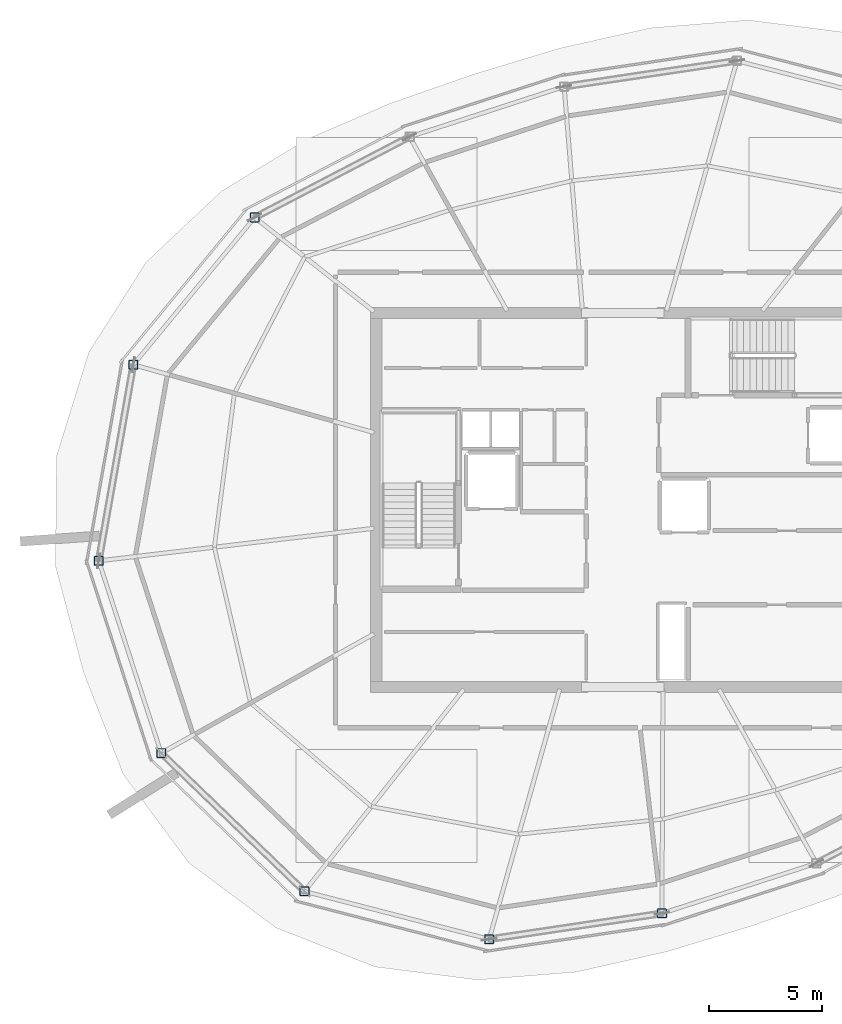
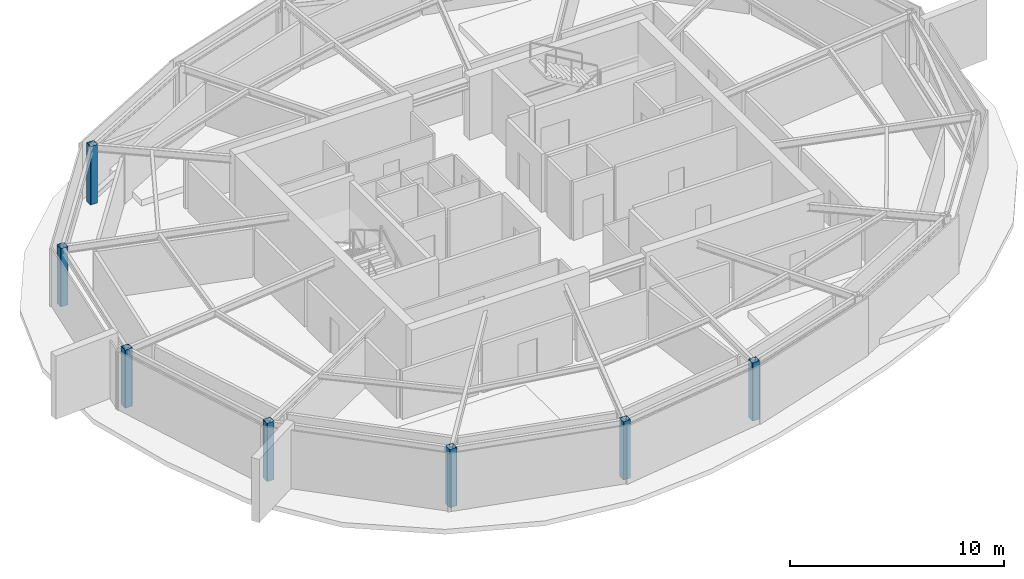
# One storey, part 1 of 10: 7 columns.
"""IFC4 building model written with IfcOpenShell, lengths in metres."""

from ifc_helpers import new_model, si_unit, direction, frame, origin, origin_2d, place, context, subcontext, project, spatial, hollow_rectangle, extrude, material, material_profile, profile_set, type_object, element, save


model = new_model("IFC4")

# Units and contexts
model_context = context("Model", 3, precision=1e-05, world=origin(), true_north=direction((0.0, 1.0)))
body_context = subcontext(model_context, "Body", "Model", "MODEL_VIEW")
ifc_project = project(units=[si_unit("LENGTHUNIT", "METRE"), si_unit("AREAUNIT", "SQUARE_METRE"), si_unit("VOLUMEUNIT", "CUBIC_METRE"), si_unit("PLANEANGLEUNIT", "RADIAN"), si_unit("MASSUNIT", "GRAM", prefix="KILO")], contexts=[model_context])

# Site, building, storey
site_placement = place(None, origin())
site = spatial("IfcSite", under=ifc_project, at=site_placement, CompositionType="ELEMENT")
building_placement = place(site_placement, origin())
building = spatial("IfcBuilding", under=site, at=building_placement, Name="Kazma Halo Residences", CompositionType="ELEMENT")
storey_placement = place(building_placement, frame((0.0, 0.0, 359.60009765625)))
storey = spatial("IfcBuildingStorey", under=building, at=storey_placement, Name="L90", CompositionType="ELEMENT", Elevation=359.60009765625)

# Columns
ifc_material = material(Name="Steel S355", Category="steel")
ifc_material_profile = material_profile(ifc_material, hollow_rectangle(XDim=0.39990234375, YDim=0.39990234375, WallThickness=0.02001953125, InnerFilletRadius=0.02001953125, OuterFilletRadius=0.0400390625, at=origin_2d()), Name="SHS400x400x20")
ifc_profile_set = profile_set([ifc_material_profile], Name="Steel S355")
column_type = type_object("IfcColumnType", Name="COL-CROWN-SHS400", PredefinedType="COLUMN", material=ifc_profile_set)
for number, where, z_axis, x_axis, name in (
    (1, (32.184814453125, 54.467529296875, 0.0), (0.0, 0.0, 1.0), (1.0, 0.0, 0.0), "L90 CROWN FRAME perimeter column P06"),
    (2, (26.830078125, 47.970458984375, 0.0), (0.0, 0.0, 1.0), (1.0, 0.0, 0.0), "L90 CROWN FRAME perimeter column P07"),
    (3, (25.3037109375, 39.313720703125, 0.0), (0.0, 0.0, 1.0), (1.0, 0.0, 0.0), "L90 CROWN FRAME perimeter column P08"),
    (4, (28.059326171875, 30.832763671875, 0.0), (0.0, 0.0, 1.0), (1.0, 0.0, 0.0), "L90 CROWN FRAME perimeter column P09"),
    (5, (34.382568359375, 24.726318359375, 0.0), (0.0, 0.0, 1.0), (1.0, 0.0, 0.0), "L90 CROWN FRAME perimeter column P10"),
    (6, (42.53369140625, 22.61767578125, 0.0), (0.0, 0.0, 1.0), (1.0, 0.0, 0.0), "L90 CROWN FRAME perimeter column P11"),
    (7, (50.1591796875, 23.75634765625, 0.0), (0.0, 0.0, 1.0), (1.0, 0.0, 0.0), "L90 CROWN FRAME perimeter column P12"),
):
    element("IfcColumn", number, at=place(storey_placement, frame(where, z_axis=z_axis, x_axis=x_axis)), inside=storey, type_object=column_type, Name=name, PredefinedType="COLUMN", context=body_context, shape_type="SweptSolid", body=[
        extrude(hollow_rectangle(XDim=0.39990234375, YDim=0.39990234375, WallThickness=0.02001953125, InnerFilletRadius=0.02001953125, OuterFilletRadius=0.0400390625, at=origin_2d()), origin(), (0.0, 0.0, 1.0), 3.31982421875),
    ])

save(model, "model.ifc")
